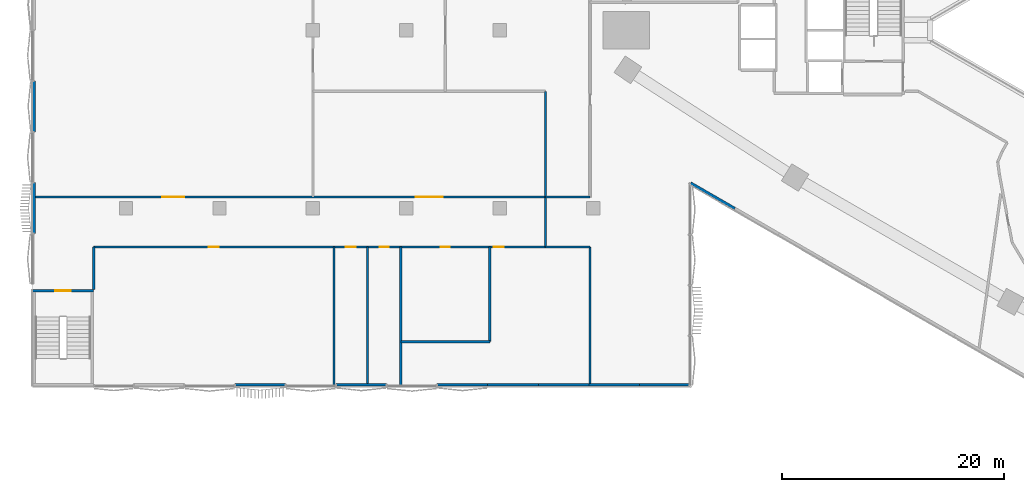
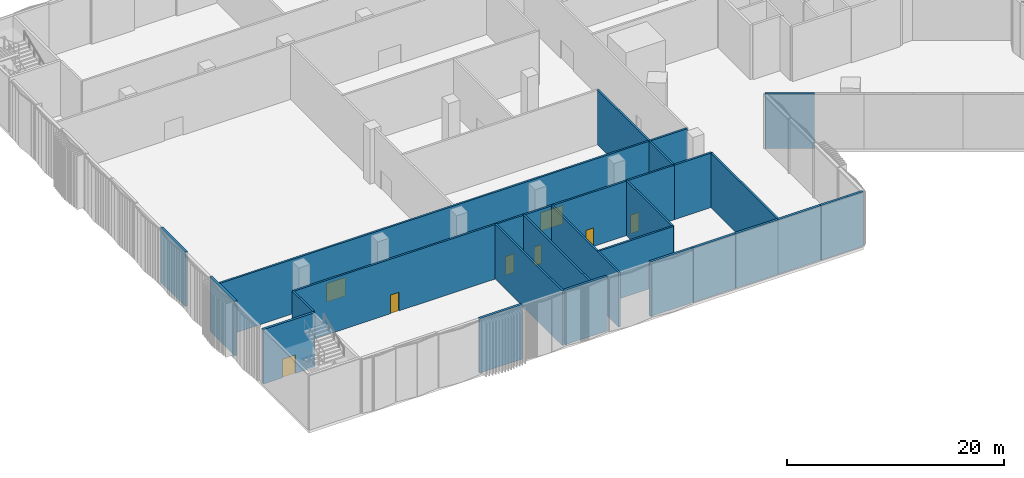
# One storey, part 12 of 32: 24 walls, 8 doors, 8 openings.
"""IFC4 building model written with IfcOpenShell, lengths in metres."""

from ifc_helpers import new_model, si_unit, direction, frame, frame_2d, origin, place, context, subcontext, project, spatial, rectangle, extrude, material, layer, layer_set, type_object, element, fill, save


model = new_model("IFC4")

# Units and contexts
model_context = context("Model", 3, precision=1e-05, world=origin(), true_north=direction((0.0, 1.0)))
body_context = subcontext(model_context, "Body", "Model", "MODEL_VIEW")
ifc_project = project(units=[si_unit("LENGTHUNIT", "METRE"), si_unit("AREAUNIT", "SQUARE_METRE"), si_unit("VOLUMEUNIT", "CUBIC_METRE"), si_unit("PLANEANGLEUNIT", "RADIAN"), si_unit("MASSUNIT", "GRAM", prefix="KILO")], contexts=[model_context])

# Site, building, storey
site_placement = place(None, origin())
site = spatial("IfcSite", under=ifc_project, at=site_placement, CompositionType="ELEMENT")
building_placement = place(site_placement, origin())
building = spatial("IfcBuilding", under=site, at=building_placement, Name="Tamra Quay Hotel Tower", CompositionType="ELEMENT")
storey_placement = place(building_placement, frame((0.0, 0.0, 7.5)))
storey = spatial("IfcBuildingStorey", under=building, at=storey_placement, Name="L01", CompositionType="ELEMENT", Elevation=7.5)

# Wall, opening, door
ifc_material_1 = material(Name="Concrete M70", Category="concrete")
ifc_layer_1 = layer(ifc_material_1, 0.199951171875)
ifc_layer_set_1 = layer_set([ifc_layer_1], Name="Concrete M70 core wall 200")
wall_type_1 = type_object("IfcWallType", Name="Concrete M70 core wall 200", PredefinedType="SHEAR", material=ifc_layer_set_1)
wall_1_placement = place(storey_placement, frame((-89.10009765625, -23.425048828125, 0.0), z_axis=(0.0, 0.0, 1.0), x_axis=(1.0, 0.0, 0.0)))
wall_1 = element("IfcWall", 1, at=wall_1_placement, inside=storey, type_object=wall_type_1, Name="CW2", PredefinedType="SHEAR", context=body_context, shape_type="SweptSolid", body=[
    extrude(rectangle(XDim=5.5, YDim=0.25, at=frame_2d((2.75, 0.0))), origin(), (0.0, 0.0, 1.0), 6.14990234375),
])
opening_1_placement = place(wall_1_placement, frame((2.050048828125, 0.0, 0.0)))
opening_1 = element("IfcOpeningElement", 2, at=opening_1_placement, cuts=wall_1, Name="Opening FD2", PredefinedType="OPENING", context=body_context, shape_type="SweptSolid", body=[
    extrude(rectangle(XDim=1.39990234375, YDim=2.10009765625, at=frame_2d((0.699951171875, 1.050048828125))), frame((0.0, 0.135009765625, 0.0), z_axis=(0.0, -1.0, 0.0), x_axis=(1.0, 0.0, 0.0)), (0.0, 0.0, 1.0), 0.27001953125),
])
ifc_material_2 = material(Name="Core door FD2 1400x2100 LH")
door_type_1 = type_object("IfcDoorType", Name="Core door FD2 1400x2100 LH", OperationType="NOTDEFINED", PredefinedType="DOOR", material=ifc_material_2)
door_1_placement = place(opening_1_placement, origin())
door_1 = element("IfcDoor", 3, at=door_1_placement, inside=storey, type_object=door_type_1, Name="FD2", OperationType="SINGLE_SWING_LEFT", OverallHeight=2.10009765625, OverallWidth=1.39990234375, PredefinedType="DOOR", context=body_context, shape_type="SweptSolid", body=[
    extrude(rectangle(XDim=1.39990234375, YDim=2.10009765625, at=frame_2d((0.699951171875, 1.050048828125))), frame((0.0, 0.02490234375, 0.0), z_axis=(0.0, -1.0, 0.0), x_axis=(1.0, 0.0, 0.0)), (0.0, 0.0, 1.0), 0.050048828125),
])
fill(opening_1, door_1)

# Walls
ifc_material_3 = material(Name="Blockwork masonry plastered", Category="masonry")
ifc_layer_2 = layer(ifc_material_3, 0.25)
ifc_layer_set_2 = layer_set([ifc_layer_2], Name="EXTERNAL WALL 250")
wall_type_2 = type_object("IfcWallType", Name="EXTERNAL WALL 250", PredefinedType="SOLIDWALL", material=ifc_layer_set_2)
wall_2_placement = place(storey_placement, frame((-25.98291015625, -16.03125, 0.0), z_axis=(0.0, 0.0, 1.0), x_axis=(-0.866023543838, 0.500003221507, 0.0)))
element("IfcWall", 4, at=wall_2_placement, inside=storey, type_object=wall_type_2, Name="EW1", PredefinedType="SOLIDWALL", context=body_context, shape_type="SweptSolid", body=[
    extrude(rectangle(XDim=4.56640625, YDim=0.25, at=frame_2d((2.283203125, 0.0))), origin(), (0.0, 0.0, 1.0), 6.14990234375),
])
for number, where, z_axis, x_axis, name in (
    (5, (-88.97509765625, -9.142822265625, 0.0), (0.0, 0.0, 1.0), (0.0, 1.0, 0.0), "EW1"),
    (6, (-88.97509765625, -18.28564453125, 0.0), (0.0, 0.0, 1.0), (0.0, 1.0, 0.0), "EW1"),
):
    element("IfcWall", number, at=place(storey_placement, frame(where, z_axis=z_axis, x_axis=x_axis)), inside=storey, type_object=wall_type_2, Name=name, PredefinedType="SOLIDWALL", context=body_context, shape_type="SweptSolid", body=[
        extrude(rectangle(XDim=4.5712890625, YDim=0.25, at=frame_2d((2.28564453125, 0.0))), origin(), (0.0, 0.0, 1.0), 6.14990234375),
    ])
for number, where, z_axis, x_axis, name in (
    (7, (-66.369140625, -31.875, 0.0), (0.0, 0.0, 1.0), (-1.0, 0.0, 0.0), "EW1"),
    (8, (-57.27685546875, -31.875, 0.0), (0.0, 0.0, 1.0), (-1.0, 0.0, 0.0), "EW1"),
    (9, (-48.1845703125, -31.875, 0.0), (0.0, 0.0, 1.0), (-1.0, 0.0, 0.0), "EW1"),
    (10, (-43.638427734375, -31.875, 0.0), (0.0, 0.0, 1.0), (-1.0, 0.0, 0.0), "EW1"),
    (11, (-39.09228515625, -31.875, 0.0), (0.0, 0.0, 1.0), (-1.0, 0.0, 0.0), "EW1"),
    (12, (-34.546142578125, -31.875, 0.0), (0.0, 0.0, 1.0), (-1.0, 0.0, 0.0), "EW1"),
    (13, (-30.0, -31.875, 0.0), (0.0, 0.0, 1.0), (-1.0, 0.0, 0.0), "EW1"),
):
    element("IfcWall", number, at=place(storey_placement, frame(where, z_axis=z_axis, x_axis=x_axis)), inside=storey, type_object=wall_type_2, Name=name, PredefinedType="SOLIDWALL", context=body_context, shape_type="SweptSolid", body=[
        extrude(rectangle(XDim=4.546142578125, YDim=0.25, at=frame_2d((2.27294921875, 0.0))), origin(), (0.0, 0.0, 1.0), 6.14990234375),
    ])

# Wall, openings, doors
ifc_material_4 = material(Name="Partition corridor wall")
ifc_layer_3 = layer(ifc_material_4, 0.199951171875)
ifc_layer_set_3 = layer_set([ifc_layer_3], Name="Partition corridor wall")
wall_type_3 = type_object("IfcWallType", Name="Partition corridor wall", PredefinedType="PARTITIONING", material=ifc_layer_set_3)
wall_3_placement = place(storey_placement, frame((-89.094970703125, -15.0, 0.0), z_axis=(0.0, 0.0, 1.0), x_axis=(1.0, 0.0, 0.0)))
wall_3 = element("IfcWall", 14, at=wall_3_placement, inside=storey, type_object=wall_type_3, Name="W-C", PredefinedType="PARTITIONING", context=body_context, shape_type="SweptSolid", body=[
    extrude(rectangle(XDim=46.094970703125, YDim=0.199951171875, at=frame_2d((23.04736328125, 0.0))), origin(), (0.0, 0.0, 1.0), 6.14990234375),
])
opening_2_placement = place(wall_3_placement, frame((11.6494140625, 0.0, 0.0)))
opening_2 = element("IfcOpeningElement", 15, at=opening_2_placement, cuts=wall_3, Name="Opening L01-D003", PredefinedType="OPENING", context=body_context, shape_type="SweptSolid", body=[
    extrude(rectangle(XDim=2.0, YDim=2.10009765625, at=frame_2d((1.0, 1.050048828125))), frame((0.0, 0.10986328125, 0.0), z_axis=(0.0, -1.0, 0.0), x_axis=(1.0, 0.0, 0.0)), (0.0, 0.0, 1.0), 0.219970703125),
])
opening_3_placement = place(wall_3_placement, frame((34.445068359375, 0.0, 0.0)))
opening_3 = element("IfcOpeningElement", 16, at=opening_3_placement, cuts=wall_3, Name="Opening L01-D006", PredefinedType="OPENING", context=body_context, shape_type="SweptSolid", body=[
    extrude(rectangle(XDim=2.39990234375, YDim=2.10009765625, at=frame_2d((1.199951171875, 1.050048828125))), frame((0.0, 0.10986328125, 0.0), z_axis=(0.0, -1.0, 0.0), x_axis=(1.0, 0.0, 0.0)), (0.0, 0.0, 1.0), 0.219970703125),
])
ifc_material_5 = material(Name="Door double leaf 2000x2100")
door_type_2 = type_object("IfcDoorType", Name="Door double leaf 2000x2100", OperationType="DOUBLE_DOOR_SINGLE_SWING", PredefinedType="DOOR", material=ifc_material_5)
door_2_placement = place(opening_2_placement, origin())
door_2 = element("IfcDoor", 17, at=door_2_placement, inside=storey, type_object=door_type_2, Name="L01-D003", OperationType="DOUBLE_DOOR_SINGLE_SWING", OverallHeight=2.10009765625, OverallWidth=2.0, PredefinedType="DOOR", context=body_context, shape_type="SweptSolid", body=[
    extrude(rectangle(XDim=2.0, YDim=2.10009765625, at=frame_2d((1.0, 1.050048828125))), frame((0.0, 0.02490234375, 0.0), z_axis=(0.0, -1.0, 0.0), x_axis=(1.0, 0.0, 0.0)), (0.0, 0.0, 1.0), 0.050048828125),
])
fill(opening_2, door_2)
ifc_material_6 = material(Name="Door double leaf 2400x2100")
door_type_3 = type_object("IfcDoorType", Name="Door double leaf 2400x2100", OperationType="DOUBLE_DOOR_SINGLE_SWING", PredefinedType="DOOR", material=ifc_material_6)
door_3_placement = place(opening_3_placement, origin())
door_3 = element("IfcDoor", 18, at=door_3_placement, inside=storey, type_object=door_type_3, Name="L01-D006", OperationType="DOUBLE_DOOR_SINGLE_SWING", OverallHeight=2.10009765625, OverallWidth=2.39990234375, PredefinedType="DOOR", context=body_context, shape_type="SweptSolid", body=[
    extrude(rectangle(XDim=2.39990234375, YDim=2.10009765625, at=frame_2d((1.199951171875, 1.050048828125))), frame((0.0, 0.02490234375, 0.0), z_axis=(0.0, -1.0, 0.0), x_axis=(1.0, 0.0, 0.0)), (0.0, 0.0, 1.0), 0.050048828125),
])
fill(opening_3, door_3)

# Wall
wall_4_placement = place(storey_placement, frame((-83.60009765625, -23.300048828125, 0.0), z_axis=(0.0, 0.0, 1.0), x_axis=(0.0, 1.0, 0.0)))
element("IfcWall", 19, at=wall_4_placement, inside=storey, type_object=wall_type_3, Name="W-C", PredefinedType="PARTITIONING", context=body_context, shape_type="SweptSolid", body=[
    extrude(rectangle(XDim=3.800048828125, YDim=0.199951171875, at=frame_2d((1.89990234375, 0.0))), origin(), (0.0, 0.0, 1.0), 6.14990234375),
])

# Wall, openings, doors
wall_5_placement = place(storey_placement, frame((-83.60009765625, -19.5, 0.0), z_axis=(0.0, 0.0, 1.0), x_axis=(1.0, 0.0, 0.0)))
wall_5 = element("IfcWall", 20, at=wall_5_placement, inside=storey, type_object=wall_type_3, Name="W-C", PredefinedType="PARTITIONING", context=body_context, shape_type="SweptSolid", body=[
    extrude(rectangle(XDim=40.60009765625, YDim=0.199951171875, at=frame_2d((20.300048828125, 0.0))), origin(), (0.0, 0.0, 1.0), 6.14990234375),
])
opening_4_placement = place(wall_5_placement, frame((10.35595703125, 0.0, 0.0)))
opening_4 = element("IfcOpeningElement", 21, at=opening_4_placement, cuts=wall_5, Name="Opening L01-D009", PredefinedType="OPENING", context=body_context, shape_type="SweptSolid", body=[
    extrude(rectangle(XDim=0.89990234375, YDim=2.10009765625, at=frame_2d((0.449951171875, 1.050048828125))), frame((0.0, 0.10986328125, 0.0), z_axis=(0.0, -1.0, 0.0), x_axis=(1.0, 0.0, 0.0)), (0.0, 0.0, 1.0), 0.219970703125),
])
opening_5_placement = place(wall_5_placement, frame((25.700439453125, 0.0, 0.0)))
opening_5 = element("IfcOpeningElement", 22, at=opening_5_placement, cuts=wall_5, Name="Opening L01-D010", PredefinedType="OPENING", context=body_context, shape_type="SweptSolid", body=[
    extrude(rectangle(XDim=0.800048828125, YDim=2.10009765625, at=frame_2d((0.39990234375, 1.050048828125))), frame((0.0, 0.10986328125, 0.0), z_axis=(0.0, -1.0, 0.0), x_axis=(1.0, 0.0, 0.0)), (0.0, 0.0, 1.0), 0.219970703125),
])
opening_6_placement = place(wall_5_placement, frame((31.200927734375, 0.0, 0.0)))
opening_6 = element("IfcOpeningElement", 23, at=opening_6_placement, cuts=wall_5, Name="Opening L01-D011", PredefinedType="OPENING", context=body_context, shape_type="SweptSolid", body=[
    extrude(rectangle(XDim=0.800048828125, YDim=2.10009765625, at=frame_2d((0.39990234375, 1.050048828125))), frame((0.0, 0.10986328125, 0.0), z_axis=(0.0, -1.0, 0.0), x_axis=(1.0, 0.0, 0.0)), (0.0, 0.0, 1.0), 0.219970703125),
])
opening_7_placement = place(wall_5_placement, frame((35.951904296875, 0.0, 0.0)))
opening_7 = element("IfcOpeningElement", 24, at=opening_7_placement, cuts=wall_5, Name="Opening L01-D012", PredefinedType="OPENING", context=body_context, shape_type="SweptSolid", body=[
    extrude(rectangle(XDim=0.89990234375, YDim=2.10009765625, at=frame_2d((0.449951171875, 1.050048828125))), frame((0.0, 0.10986328125, 0.0), z_axis=(0.0, -1.0, 0.0), x_axis=(1.0, 0.0, 0.0)), (0.0, 0.0, 1.0), 0.219970703125),
])
opening_8_placement = place(wall_5_placement, frame((22.651611328125, 0.0, 0.0)))
opening_8 = element("IfcOpeningElement", 25, at=opening_8_placement, cuts=wall_5, Name="Opening L01-D022", PredefinedType="OPENING", context=body_context, shape_type="SweptSolid", body=[
    extrude(rectangle(XDim=0.89990234375, YDim=2.10009765625, at=frame_2d((0.449951171875, 1.050048828125))), frame((0.0, 0.10986328125, 0.0), z_axis=(0.0, -1.0, 0.0), x_axis=(1.0, 0.0, 0.0)), (0.0, 0.0, 1.0), 0.219970703125),
])
ifc_material_7 = material(Name="Door service room 800x2100")
door_type_4 = type_object("IfcDoorType", Name="Door service room 800x2100", OperationType="NOTDEFINED", PredefinedType="DOOR", material=ifc_material_7)
door_4_placement = place(opening_5_placement, frame((0.800048828125, 0.0, 0.0), z_axis=(0.0, 0.0, 1.0), x_axis=(-1.0, 0.0, 0.0)))
door_4 = element("IfcDoor", 26, at=door_4_placement, inside=storey, type_object=door_type_4, Name="L01-D010", OperationType="SINGLE_SWING_LEFT", OverallHeight=2.10009765625, OverallWidth=0.800048828125, PredefinedType="DOOR", context=body_context, shape_type="SweptSolid", body=[
    extrude(rectangle(XDim=0.800048828125, YDim=2.10009765625, at=frame_2d((0.39990234375, 1.050048828125))), frame((0.0, 0.02490234375, 0.0), z_axis=(0.0, -1.0, 0.0), x_axis=(1.0, 0.0, 0.0)), (0.0, 0.0, 1.0), 0.050048828125),
])
fill(opening_5, door_4)
door_5_placement = place(opening_6_placement, frame((0.800048828125, 0.0, 0.0), z_axis=(0.0, 0.0, 1.0), x_axis=(-1.0, 0.0, 0.0)))
door_5 = element("IfcDoor", 27, at=door_5_placement, inside=storey, type_object=door_type_4, Name="L01-D011", OperationType="SINGLE_SWING_LEFT", OverallHeight=2.10009765625, OverallWidth=0.800048828125, PredefinedType="DOOR", context=body_context, shape_type="SweptSolid", body=[
    extrude(rectangle(XDim=0.800048828125, YDim=2.10009765625, at=frame_2d((0.39990234375, 1.050048828125))), frame((0.0, 0.02490234375, 0.0), z_axis=(0.0, -1.0, 0.0), x_axis=(1.0, 0.0, 0.0)), (0.0, 0.0, 1.0), 0.050048828125),
])
fill(opening_6, door_5)
ifc_material_8 = material(Name="Door service room 900x2100")
door_type_5 = type_object("IfcDoorType", Name="Door service room 900x2100", OperationType="NOTDEFINED", PredefinedType="DOOR", material=ifc_material_8)
door_6_placement = place(opening_4_placement, frame((0.89990234375, 0.0, 0.0), z_axis=(0.0, 0.0, 1.0), x_axis=(-1.0, 0.0, 0.0)))
door_6 = element("IfcDoor", 28, at=door_6_placement, inside=storey, type_object=door_type_5, Name="L01-D009", OperationType="SINGLE_SWING_LEFT", OverallHeight=2.10009765625, OverallWidth=0.89990234375, PredefinedType="DOOR", context=body_context, shape_type="SweptSolid", body=[
    extrude(rectangle(XDim=0.89990234375, YDim=2.10009765625, at=frame_2d((0.449951171875, 1.050048828125))), frame((0.0, 0.02490234375, 0.0), z_axis=(0.0, -1.0, 0.0), x_axis=(1.0, 0.0, 0.0)), (0.0, 0.0, 1.0), 0.050048828125),
])
fill(opening_4, door_6)
door_7_placement = place(opening_7_placement, frame((0.89990234375, 0.0, 0.0), z_axis=(0.0, 0.0, 1.0), x_axis=(-1.0, 0.0, 0.0)))
door_7 = element("IfcDoor", 29, at=door_7_placement, inside=storey, type_object=door_type_5, Name="L01-D012", OperationType="SINGLE_SWING_LEFT", OverallHeight=2.10009765625, OverallWidth=0.89990234375, PredefinedType="DOOR", context=body_context, shape_type="SweptSolid", body=[
    extrude(rectangle(XDim=0.89990234375, YDim=2.10009765625, at=frame_2d((0.449951171875, 1.050048828125))), frame((0.0, 0.02490234375, 0.0), z_axis=(0.0, -1.0, 0.0), x_axis=(1.0, 0.0, 0.0)), (0.0, 0.0, 1.0), 0.050048828125),
])
fill(opening_7, door_7)
door_8_placement = place(opening_8_placement, frame((0.89990234375, 0.0, 0.0), z_axis=(0.0, 0.0, 1.0), x_axis=(-1.0, 0.0, 0.0)))
door_8 = element("IfcDoor", 30, at=door_8_placement, inside=storey, type_object=door_type_5, Name="L01-D022", OperationType="SINGLE_SWING_LEFT", OverallHeight=2.10009765625, OverallWidth=0.89990234375, PredefinedType="DOOR", context=body_context, shape_type="SweptSolid", body=[
    extrude(rectangle(XDim=0.89990234375, YDim=2.10009765625, at=frame_2d((0.449951171875, 1.050048828125))), frame((0.0, 0.02490234375, 0.0), z_axis=(0.0, -1.0, 0.0), x_axis=(1.0, 0.0, 0.0)), (0.0, 0.0, 1.0), 0.050048828125),
])
fill(opening_8, door_8)

# Walls
wall_6_placement = place(storey_placement, frame((-43.0, -19.5, 0.0), z_axis=(0.0, 0.0, 1.0), x_axis=(0.0, 1.0, 0.0)))
element("IfcWall", 31, at=wall_6_placement, inside=storey, type_object=wall_type_3, Name="W-C", PredefinedType="PARTITIONING", context=body_context, shape_type="SweptSolid", body=[
    extrude(rectangle(XDim=4.498046875, YDim=0.199951171875, at=frame_2d((2.2490234375, 0.0))), origin(), (0.0, 0.0, 1.0), 6.14990234375),
])
ifc_material_9 = material(Name="Partition party wall")
ifc_layer_4 = layer(ifc_material_9, 0.199951171875)
ifc_layer_set_4 = layer_set([ifc_layer_4], Name="Partition party wall")
wall_type_4 = type_object("IfcWallType", Name="Partition party wall", PredefinedType="PARTITIONING", material=ifc_layer_set_4)
for number, where, z_axis, x_axis, name in (
    (32, (-62.0, -31.9951171875, 0.0), (0.0, 0.0, 1.0), (0.0, 1.0, 0.0), "W-P"),
    (33, (-58.9990234375, -31.9951171875, 0.0), (0.0, 0.0, 1.0), (0.0, 1.0, 0.0), "W-P"),
    (34, (-56.0, -31.9951171875, 0.0), (0.0, 0.0, 1.0), (0.0, 1.0, 0.0), "W-P"),
):
    element("IfcWall", number, at=place(storey_placement, frame(where, z_axis=z_axis, x_axis=x_axis)), inside=storey, type_object=wall_type_4, Name=name, PredefinedType="PARTITIONING", context=body_context, shape_type="SweptSolid", body=[
        extrude(rectangle(XDim=12.4931640625, YDim=0.199951171875, at=frame_2d((6.24658203125, 0.0))), origin(), (0.0, 0.0, 1.0), 6.14990234375),
    ])
wall_7_placement = place(storey_placement, frame((-55.998046875, -28.0, 0.0), z_axis=(0.0, 0.0, 1.0), x_axis=(1.0, 0.0, 0.0)))
element("IfcWall", 35, at=wall_7_placement, inside=storey, type_object=wall_type_4, Name="W-P", PredefinedType="PARTITIONING", context=body_context, shape_type="SweptSolid", body=[
    extrude(rectangle(XDim=7.998046875, YDim=0.199951171875, at=frame_2d((3.9990234375, 0.0))), origin(), (0.0, 0.0, 1.0), 6.14990234375),
])
wall_8_placement = place(storey_placement, frame((-48.0, -28.0, 0.0), z_axis=(0.0, 0.0, 1.0), x_axis=(0.0, 1.0, 0.0)))
element("IfcWall", 36, at=wall_8_placement, inside=storey, type_object=wall_type_4, Name="W-P", PredefinedType="PARTITIONING", context=body_context, shape_type="SweptSolid", body=[
    extrude(rectangle(XDim=8.498046875, YDim=0.199951171875, at=frame_2d((4.2490234375, 0.0))), origin(), (0.0, 0.0, 1.0), 6.14990234375),
])
wall_9_placement = place(storey_placement, frame((-43.009033203125, -19.5009765625, 0.0), z_axis=(0.0, 0.0, 1.0), x_axis=(0.999999970332, 0.000243590517, 0.0)))
element("IfcWall", 37, at=wall_9_placement, inside=storey, type_object=wall_type_4, Name="W-P", PredefinedType="PARTITIONING", context=body_context, shape_type="SweptSolid", body=[
    extrude(rectangle(XDim=4.009033203125, YDim=0.199951171875, at=frame_2d((2.00439453125, 0.0))), origin(), (0.0, 0.0, 1.0), 6.14990234375),
])
wall_10_placement = place(storey_placement, frame((-43.0, -15.0, 0.0), z_axis=(0.0, 0.0, 1.0), x_axis=(0.0, 1.0, 0.0)))
element("IfcWall", 38, at=wall_10_placement, inside=storey, type_object=wall_type_4, Name="W-P", PredefinedType="PARTITIONING", context=body_context, shape_type="SweptSolid", body=[
    extrude(rectangle(XDim=9.5, YDim=0.199951171875, at=frame_2d((4.75, 0.0))), origin(), (0.0, 0.0, 1.0), 6.14990234375),
])
wall_11_placement = place(storey_placement, frame((-42.998046875, -15.0, 0.0), z_axis=(0.0, 0.0, 1.0), x_axis=(1.0, 0.0, 0.0)))
element("IfcWall", 39, at=wall_11_placement, inside=storey, type_object=wall_type_4, Name="W-P", PredefinedType="PARTITIONING", context=body_context, shape_type="SweptSolid", body=[
    extrude(rectangle(XDim=3.998046875, YDim=0.199951171875, at=frame_2d((1.9990234375, 0.0))), origin(), (0.0, 0.0, 1.0), 6.14990234375),
])
wall_12_placement = place(storey_placement, frame((-39.0, -31.9951171875, 0.0), z_axis=(0.0, 0.0, 1.0), x_axis=(0.0, 1.0, 0.0)))
element("IfcWall", 40, at=wall_12_placement, inside=storey, type_object=wall_type_4, Name="W-P", PredefinedType="PARTITIONING", context=body_context, shape_type="SweptSolid", body=[
    extrude(rectangle(XDim=12.4951171875, YDim=0.199951171875, at=frame_2d((6.24755859375, 0.0))), origin(), (0.0, 0.0, 1.0), 6.14990234375),
])

save(model, "model.ifc")
